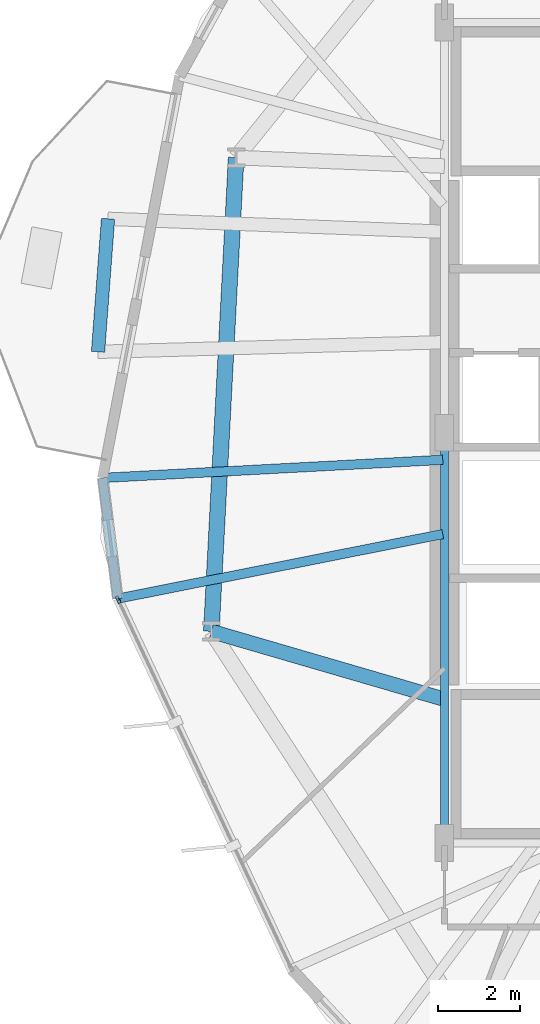
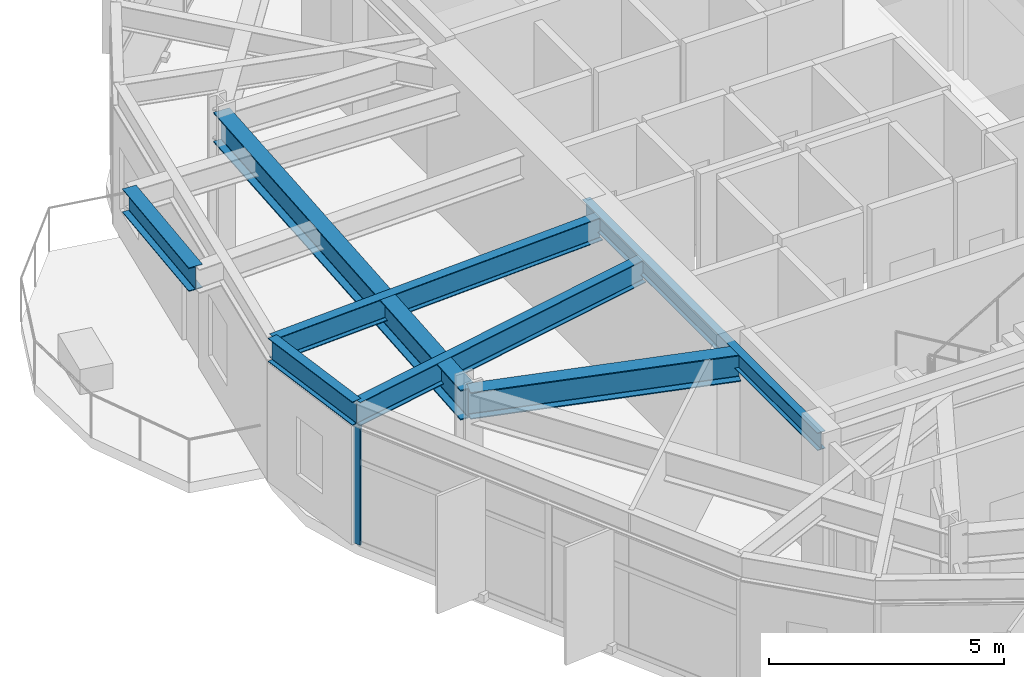
# One storey, part 6 of 22: 7 beams, 1 member, 1 element without a shape of its own.
"""IFC4 building model written with IfcOpenShell, lengths in metres."""

import ifcopenshell
import ifcopenshell.guid

model = None  # the IFC model being written
_history = None  # IfcOwnerHistory: only IFC2X3 demands one
_inside = {}  # id of a spatial element -> (the spatial element, [elements in it])
_under = {}  # id of a project, library or spatial element -> (it, [spatial elements below it])
_declared = {}  # id of a project -> (the project, [libraries it declares])
_typed = {}  # id of a type object -> (the type object, [elements of that type])
_made_of = {}  # id of a material, layer set ... -> (it, [elements and type objects made of it])


def new_model(schema):
    """Start an empty IFC model of exactly this schema.

    Asked for "IFC4X3", IfcOpenShell would pick the latest addendum, in which some entities
    have other attributes; the version numbers below select the first issue.
    IFC2X3 requires an IfcOwnerHistory on every rooted entity: one is made here for all.
    """
    global model, _history
    if schema == "IFC4X3":
        model = ifcopenshell.file(schema_version=(4, 3, 0, 0))
    else:
        model = ifcopenshell.file(schema=schema)
    _inside.clear()
    _under.clear()
    _declared.clear()
    _typed.clear()
    _made_of.clear()
    _history = None
    if model.schema == "IFC2X3":
        org = make("IfcOrganization", Name="unknown")
        user = make(
            "IfcPersonAndOrganization",
            ThePerson=make("IfcPerson", FamilyName="unknown"),
            TheOrganization=org,
        )
        app = make(
            "IfcApplication",
            ApplicationDeveloper=org,
            Version="unknown",
            ApplicationFullName="unknown",
            ApplicationIdentifier="unknown",
        )
        _history = make(
            "IfcOwnerHistory",
            OwningUser=user,
            OwningApplication=app,
            ChangeAction="ADDED",
            CreationDate=0,
        )
    return model


def make(cls, **values):
    """One entity of the class cls with the attributes given. An attribute that is None is left unset."""
    return model.create_entity(
        cls, **{name: value for name, value in values.items() if value is not None}
    )


def rooted(cls, **values):
    """An entity with a GlobalId (a new one), such as an element, a storey or a relation."""
    return make(cls, GlobalId=ifcopenshell.guid.new(), OwnerHistory=_history, **values)


def si_unit(unit_type, name, prefix=None):
    """IfcSIUnit, for example si_unit("LENGTHUNIT", "METRE", prefix="MILLI")."""
    return make("IfcSIUnit", UnitType=unit_type, Prefix=prefix, Name=name)


def assignment(units):
    """IfcUnitAssignment: the units of a project."""
    return None if units is None else make("IfcUnitAssignment", Units=units)


def point(xyz):
    """IfcCartesianPoint."""
    return None if xyz is None else make("IfcCartesianPoint", Coordinates=xyz)


def direction(xyz):
    """IfcDirection."""
    return None if xyz is None else make("IfcDirection", DirectionRatios=xyz)


def frame(location, z_axis=None, x_axis=None):
    """IfcAxis2Placement3D, a coordinate frame: its origin and axes. An axis left out is left unset."""
    return make(
        "IfcAxis2Placement3D",
        Location=point(location),
        Axis=direction(z_axis),
        RefDirection=direction(x_axis),
    )


def frame_2d(location, x_axis=None):
    """IfcAxis2Placement2D, a coordinate frame in the plane: its origin and x axis."""
    return make(
        "IfcAxis2Placement2D", Location=point(location), RefDirection=direction(x_axis)
    )


def origin():
    """The frame at (0, 0, 0) with its axes left unset."""
    return frame((0.0, 0.0, 0.0))


def origin_2d():
    """The frame at (0, 0) in the plane with its x axis left unset."""
    return frame_2d((0.0, 0.0))


def place(relative_to, where):
    """IfcLocalPlacement: puts the frame where relative to a parent placement (None: the world)."""
    return make(
        "IfcLocalPlacement", PlacementRelTo=relative_to, RelativePlacement=where
    )


def context(
    kind, dimensions, precision=None, world=None, true_north=None, identifier=None
):
    """IfcGeometricRepresentationContext, for example the 3D "Model" context."""
    return make(
        "IfcGeometricRepresentationContext",
        ContextIdentifier=identifier,
        ContextType=kind,
        CoordinateSpaceDimension=dimensions,
        Precision=precision,
        WorldCoordinateSystem=world,
        TrueNorth=true_north,
    )


def subcontext(parent, identifier, kind, view, scale=None):
    """IfcGeometricRepresentationSubContext, for example "Body" below "Model"."""
    return make(
        "IfcGeometricRepresentationSubContext",
        ContextIdentifier=identifier,
        ContextType=kind,
        ParentContext=parent,
        TargetScale=scale,
        TargetView=view,
    )


def project(units=None, contexts=None):
    """IfcProject with its units and contexts."""
    return rooted(
        "IfcProject",
        Name="project",
        RepresentationContexts=contexts,
        UnitsInContext=assignment(units),
    )


def spatial(cls, under=None, at=None, **own):
    """A site, building, storey or space (cls), placed at a placement, below another one or the project."""
    s = rooted(cls, ObjectPlacement=at, **own)
    if under is not None:
        _under.setdefault(under.id(), (under, []))[1].append(s)
    return s


def profile(cls, at=None, kind="AREA", **sizes):
    """A parametric profile (cls). Its sizes go by their IFC names, for example OverallWidth=200.0."""
    return make(cls, ProfileType=kind, Position=at, **sizes)


def hollow_rectangle(**sizes):
    """IfcRectangleHollowProfileDef."""
    return profile("IfcRectangleHollowProfileDef", **sizes)


def i_section(**sizes):
    """IfcIShapeProfileDef."""
    return profile("IfcIShapeProfileDef", **sizes)


def extrude(swept, where, along, depth):
    """IfcExtrudedAreaSolid: the profile swept, set in the frame where, extruded along a direction by depth."""
    return make(
        "IfcExtrudedAreaSolid",
        SweptArea=swept,
        Position=where,
        ExtrudedDirection=direction(along),
        Depth=depth,
    )


def shape(context_of_items, identifier, shape_type, items):
    """IfcShapeRepresentation: the items that make up one representation, for example the "Body"."""
    return make(
        "IfcShapeRepresentation",
        ContextOfItems=context_of_items,
        RepresentationIdentifier=identifier,
        RepresentationType=shape_type,
        Items=items,
    )


def material(Name=None, Category=None):
    """IfcMaterial."""
    return make("IfcMaterial", Name=Name, Category=Category)


def layer(
    of_material, thickness, ventilated=None, Name=None, Category=None, Priority=None
):
    """IfcMaterialLayer: one layer of a wall or slab, of a material (None: an air gap)."""
    return make(
        "IfcMaterialLayer",
        Material=of_material,
        LayerThickness=thickness,
        IsVentilated=ventilated,
        Name=Name,
        Category=Category,
        Priority=Priority,
    )


def layer_set(layers, Name=None):
    """IfcMaterialLayerSet."""
    return make("IfcMaterialLayerSet", MaterialLayers=layers, LayerSetName=Name)


def material_profile(
    of_material, cross_section, Name=None, Category=None, Priority=None
):
    """IfcMaterialProfile: a cross section and its material."""
    return make(
        "IfcMaterialProfile",
        Name=Name,
        Material=of_material,
        Profile=cross_section,
        Priority=Priority,
        Category=Category,
    )


def profile_set(profiles, Name=None, composite=None):
    """IfcMaterialProfileSet."""
    return make(
        "IfcMaterialProfileSet",
        Name=Name,
        MaterialProfiles=profiles,
        CompositeProfile=composite,
    )


def made_of(thing, what):
    """Note that an element or type object is made of a material, layer set ...; save() writes the relation."""
    if what is not None:
        _made_of.setdefault(what.id(), (what, []))[1].append(thing)
    return thing


def type_object(cls, material=None, **own):
    """A type object (cls), such as IfcWallType, which elements share."""
    return made_of(rooted(cls, **own), material)


def element(
    cls,
    number,
    at=None,
    inside=None,
    cuts=None,
    type_object=None,
    material=None,
    context=None,
    identifier="Body",
    shape_type=None,
    held_by="IfcProductDefinitionShape",
    body=None,
    shapes=None,
    **own,
):
    """One element of the class cls, such as IfcWall. Its Tag is "e" and its number.

    at: its placement. inside: the storey or other place that contains it. cuts: it is an
    opening in that element (IfcRelVoidsElement). A single representation is given by context,
    identifier, shape_type and body (its items); several are given by shapes. held_by: the class
    of the entity that holds the representations. save() writes the other relations.
    """
    e = rooted(cls, Tag="e%d" % number, ObjectPlacement=at, **own)
    if body is not None:
        shapes = [shape(context, identifier, shape_type, body)]
    if shapes is not None:
        e.Representation = make(held_by, Representations=shapes)
    if inside is not None:
        _inside.setdefault(inside.id(), (inside, []))[1].append(e)
    if cuts is not None:
        rooted(
            "IfcRelVoidsElement", RelatingBuildingElement=cuts, RelatedOpeningElement=e
        )
    if type_object is not None:
        _typed.setdefault(type_object.id(), (type_object, []))[1].append(e)
    return made_of(e, material)


def aggregate(whole, parts):
    """IfcRelAggregates: a whole, such as a stair, and the parts it consists of."""
    return rooted("IfcRelAggregates", RelatingObject=whole, RelatedObjects=parts)


def save(model, path):
    """Write the relations noted so far, then the file.

    IfcRelAggregates (storeys below a building ...), IfcRelContainedInSpatialStructure (elements
    in a storey), IfcRelDefinesByType, IfcRelAssociatesMaterial and IfcRelDeclares: one each for
    every whole, place, type object, material and project.
    """
    for whole, parts in _under.values():
        aggregate(whole, parts)
    for where, things in _inside.values():
        rooted(
            "IfcRelContainedInSpatialStructure",
            RelatedElements=things,
            RelatingStructure=where,
        )
    for kind, things in _typed.values():
        rooted("IfcRelDefinesByType", RelatedObjects=things, RelatingType=kind)
    for what, things in _made_of.values():
        rooted("IfcRelAssociatesMaterial", RelatedObjects=things, RelatingMaterial=what)
    for by, libraries in _declared.values():
        rooted("IfcRelDeclares", RelatingContext=by, RelatedDefinitions=libraries)
    model.write(path)


model = new_model("IFC4")

# Units and contexts
model_context = context("Model", 3, precision=1e-05, world=origin(), true_north=direction((0.0, 1.0)))
body_context = subcontext(model_context, "Body", "Model", "MODEL_VIEW")
ifc_project = project(units=[si_unit("LENGTHUNIT", "METRE"), si_unit("AREAUNIT", "SQUARE_METRE"), si_unit("VOLUMEUNIT", "CUBIC_METRE"), si_unit("PLANEANGLEUNIT", "RADIAN"), si_unit("MASSUNIT", "GRAM", prefix="KILO")], contexts=[model_context])

# Site, building, storey
site_placement = place(None, origin())
site = spatial("IfcSite", under=ifc_project, at=site_placement, CompositionType="ELEMENT")
building_placement = place(site_placement, origin())
building = spatial("IfcBuilding", under=site, at=building_placement, Name="Soratama Intermodal Tower", CompositionType="ELEMENT")
storey_placement = place(building_placement, frame((0.0, 0.0, 54.60009765625)))
storey = spatial("IfcBuildingStorey", under=building, at=storey_placement, Name="L12", CompositionType="ELEMENT", Elevation=54.60009765625)

# Beams
ifc_material_1 = material(Name="Structural steel ASTM A992 Grade 50", Category="steel")
ifc_material_profile_1 = material_profile(ifc_material_1, i_section(OverallWidth=0.324951171875, OverallDepth=0.615966796875, WebThickness=0.013916015625, FlangeThickness=0.021484375, FilletRadius=0.013916015625, at=origin_2d()), Name="W24X117")
ifc_profile_set_1 = profile_set([ifc_material_profile_1], Name="Structural steel ASTM A992 Grade 50")
beam_type_1 = type_object("IfcBeamType", Name="BM-CANT-W24X117", PredefinedType="BEAM", material=ifc_profile_set_1)
beam_1_placement = place(storey_placement, frame((24.39892578125, 30.216064453125, 3.391845703125), z_axis=(-0.074969045422, -0.997185861426, 0.0), x_axis=(0.997185861426, -0.074969045422, 0.0)))
element("IfcBeam", 1, at=beam_1_placement, inside=storey, type_object=beam_type_1, Name="BM-L12-CBHDR-2", PredefinedType="BEAM", context=body_context, shape_type="SweptSolid", body=[
    extrude(i_section(OverallWidth=0.324951171875, OverallDepth=0.615966796875, WebThickness=0.013916015625, FlangeThickness=0.021484375, FilletRadius=0.013916015625, at=origin_2d()), origin(), (0.0, 0.0, 1.0), 3.253173828125),
])
ifc_material_2 = material(Name="Structural steel ASTM A992 Grade 50", Category="steel")
ifc_material_profile_2 = material_profile(ifc_material_2, i_section(OverallWidth=0.19091796875, OverallDepth=0.4599609375, WebThickness=0.010009765625, FlangeThickness=0.01611328125, FilletRadius=0.010986328125, at=origin_2d()), Name="W18X55")
ifc_profile_set_2 = profile_set([ifc_material_profile_2], Name="Structural steel ASTM A992 Grade 50")
beam_type_2 = type_object("IfcBeamType", Name="BM-FLR-W18X55", PredefinedType="BEAM", material=ifc_profile_set_2)
beam_2_placement = place(storey_placement, frame((32.60009765625, 25.0, 3.469970703125), z_axis=(0.0, -1.0, 0.0), x_axis=(1.0, 0.0, 0.0)))
element("IfcBeam", 2, at=beam_2_placement, inside=storey, type_object=beam_type_2, Name="BM-L12-CRING-09", PredefinedType="BEAM", context=body_context, shape_type="SweptSolid", body=[
    extrude(i_section(OverallWidth=0.19091796875, OverallDepth=0.4599609375, WebThickness=0.010009765625, FlangeThickness=0.01611328125, FilletRadius=0.010986328125, at=origin_2d()), origin(), (0.0, 0.0, 1.0), 10.0),
])
ifc_material_3 = material(Name="Structural steel ASTM A992 Grade 50", Category="steel")
ifc_material_profile_3 = material_profile(ifc_material_3, i_section(OverallWidth=0.35498046875, OverallDepth=0.695068359375, WebThickness=0.015380859375, FlangeThickness=0.02490234375, FilletRadius=0.01611328125, at=origin_2d()), Name="W27X146")
ifc_profile_set_3 = profile_set([ifc_material_profile_3], Name="Structural steel ASTM A992 Grade 50")
beam_type_3 = type_object("IfcBeamType", Name="BM-RING-W27X146", PredefinedType="BEAM", material=ifc_profile_set_3)
beam_3_placement = place(storey_placement, frame((32.60009765625, 18.5, 3.352294921875), z_axis=(-0.960102504931, 0.279648314898, 0.0), x_axis=(-0.279648314898, -0.960102504931, 0.0)))
element("IfcBeam", 3, at=beam_3_placement, inside=storey, type_object=beam_type_3, Name="BM-L12-RAD-06", PredefinedType="BEAM", context=body_context, shape_type="SweptSolid", body=[
    extrude(i_section(OverallWidth=0.35498046875, OverallDepth=0.695068359375, WebThickness=0.015380859375, FlangeThickness=0.02490234375, FilletRadius=0.01611328125, at=origin_2d()), origin(), (0.0, 0.0, 1.0), 5.918212890625),
])
ifc_material_4 = material(Name="Structural steel ASTM A992 Grade 50", Category="steel")
ifc_material_profile_4 = material_profile(ifc_material_4, i_section(OverallWidth=0.382080078125, OverallDepth=0.779052734375, WebThickness=0.01806640625, FlangeThickness=0.030029296875, FilletRadius=0.01806640625, at=origin_2d()), Name="W30X191")
ifc_profile_set_4 = profile_set([ifc_material_profile_4], Name="Structural steel ASTM A992 Grade 50")
beam_type_4 = type_object("IfcBeamType", Name="BM-RING-W30X191", PredefinedType="BEAM", material=ifc_profile_set_4)
beam_4_placement = place(storey_placement, frame((27.52294921875, 31.708984375, 3.310302734375), z_axis=(-0.052289698717, -0.998631957935, 0.0), x_axis=(0.998631957935, -0.052289698717, 0.0)))
element("IfcBeam", 4, at=beam_4_placement, inside=storey, type_object=beam_type_4, Name="BM-L12-RING-05", PredefinedType="BEAM", context=body_context, shape_type="SweptSolid", body=[
    extrude(i_section(OverallWidth=0.382080078125, OverallDepth=0.779052734375, WebThickness=0.01806640625, FlangeThickness=0.030029296875, FilletRadius=0.01806640625, at=origin_2d()), origin(), (0.0, 0.0, 1.0), 11.56982421875),
])
ifc_material_5 = material(Name="Structural steel ASTM A992 Grade 50", Category="steel")
ifc_material_profile_5 = material_profile(ifc_material_5, i_section(OverallWidth=0.22900390625, OverallDepth=0.612060546875, WebThickness=0.011962890625, FlangeThickness=0.01953125, FilletRadius=0.012939453125, at=origin_2d()), Name="W24X84")
ifc_profile_set_5 = profile_set([ifc_material_profile_5], Name="Structural steel ASTM A992 Grade 50")
beam_type_5 = type_object("IfcBeamType", Name="BM-SPN-W24X84", PredefinedType="SPANDREL", material=ifc_profile_set_5)
beam_5_placement = place(storey_placement, frame((24.264892578125, 23.89794921875, 3.393798828125), z_axis=(0.124095503426, -0.992270278719, 0.0), x_axis=(0.992270278719, 0.124095503426, 0.0)))
element("IfcBeam", 5, at=beam_5_placement, inside=storey, type_object=beam_type_5, Name="BS-L12-CRN05", PredefinedType="SPANDREL", context=body_context, shape_type="SweptSolid", body=[
    extrude(i_section(OverallWidth=0.22900390625, OverallDepth=0.612060546875, WebThickness=0.011962890625, FlangeThickness=0.01953125, FilletRadius=0.012939453125, at=origin_2d()), origin(), (0.0, 0.0, 1.0), 2.966796875),
])
ifc_material_6 = material(Name="Structural steel ASTM A992 Grade 50", Category="steel")
ifc_material_profile_6 = material_profile(ifc_material_6, i_section(OverallWidth=0.22900390625, OverallDepth=0.612060546875, WebThickness=0.011962890625, FlangeThickness=0.01953125, FilletRadius=0.012939453125, at=origin_2d()), Name="W24X84")
ifc_profile_set_6 = profile_set([ifc_material_profile_6], Name="Structural steel ASTM A992 Grade 50")
beam_type_6 = type_object("IfcBeamType", Name="BM-TIE-W24X84", PredefinedType="BEAM", material=ifc_profile_set_6)
beam_6_placement = place(storey_placement, frame((32.56005859375, 24.339111328125, 3.393798828125), z_axis=(-0.998588775327, -0.053107982371, 0.0), x_axis=(0.053107982371, -0.998588775327, 0.0)))
element("IfcBeam", 6, at=beam_6_placement, inside=storey, type_object=beam_type_6, Name="BM-L12-TIE1-05", PredefinedType="BEAM", context=body_context, shape_type="SweptSolid", body=[
    extrude(i_section(OverallWidth=0.22900390625, OverallDepth=0.612060546875, WebThickness=0.011962890625, FlangeThickness=0.01953125, FilletRadius=0.012939453125, at=origin_2d()), origin(), (0.0, 0.0, 1.0), 8.306884765625),
])
beam_7_placement = place(storey_placement, frame((32.56103515625, 22.529052734375, 3.393798828125), z_axis=(-0.980833111826, -0.194849702965, 0.0), x_axis=(0.194849702965, -0.980833111826, 0.0)))
element("IfcBeam", 7, at=beam_7_placement, inside=storey, type_object=beam_type_6, Name="BM-L12-TIE0-06", PredefinedType="BEAM", context=body_context, shape_type="SweptSolid", body=[
    extrude(i_section(OverallWidth=0.22900390625, OverallDepth=0.612060546875, WebThickness=0.011962890625, FlangeThickness=0.01953125, FilletRadius=0.012939453125, at=origin_2d()), origin(), (0.0, 0.0, 1.0), 8.0830078125),
])

# Curtain wall, member
ifc_material_7 = material(Name="Double-glazed aluminium curtain wall", Category="aluminium")
ifc_layer = layer(ifc_material_7, 0.159912109375)
ifc_layer_set = layer_set([ifc_layer], Name="Double-glazed aluminium curtain wall")
curtain_wall_type = type_object("IfcCurtainWallType", Name="CW-SYS-2", PredefinedType="NOTDEFINED", material=ifc_layer_set)
curtain_wall_placement = place(storey_placement, origin())
curtain_wall = element("IfcCurtainWall", 8, at=curtain_wall_placement, inside=storey, type_object=curtain_wall_type, Name="L12 Faceted Curtain Wall F06", PredefinedType="NOTDEFINED")
ifc_material_8 = material(Name="Anodised aluminium AA 6063-T6", Category="aluminium")
ifc_material_profile_7 = material_profile(ifc_material_8, hollow_rectangle(XDim=0.074951171875, YDim=0.179931640625, WallThickness=0.006103515625, InnerFilletRadius=0.006103515625, OuterFilletRadius=0.011962890625, at=origin_2d()), Name="CWM180X75X6")
ifc_profile_set_7 = profile_set([ifc_material_profile_7], Name="Anodised aluminium AA 6063-T6")
member_type = type_object("IfcMemberType", Name="MT-CWM-2", PredefinedType="MULLION", material=ifc_profile_set_7)
member_placement = place(storey_placement, frame((24.646240234375, 20.9267578125, 0.0), z_axis=(0.0, 0.0, 1.0), x_axis=(0.905273754892, 0.424828705132, 0.0)))
member = element("IfcMember", 9, at=member_placement, type_object=member_type, Name="CW-2 mullion 1", PredefinedType="MULLION", context=body_context, shape_type="SweptSolid", body=[
    extrude(hollow_rectangle(XDim=0.074951171875, YDim=0.179931640625, WallThickness=0.006103515625, InnerFilletRadius=0.006103515625, OuterFilletRadius=0.011962890625, at=origin_2d()), origin(), (0.0, 0.0, 1.0), 3.078857421875),
])
aggregate(curtain_wall, [member])

save(model, "model.ifc")
